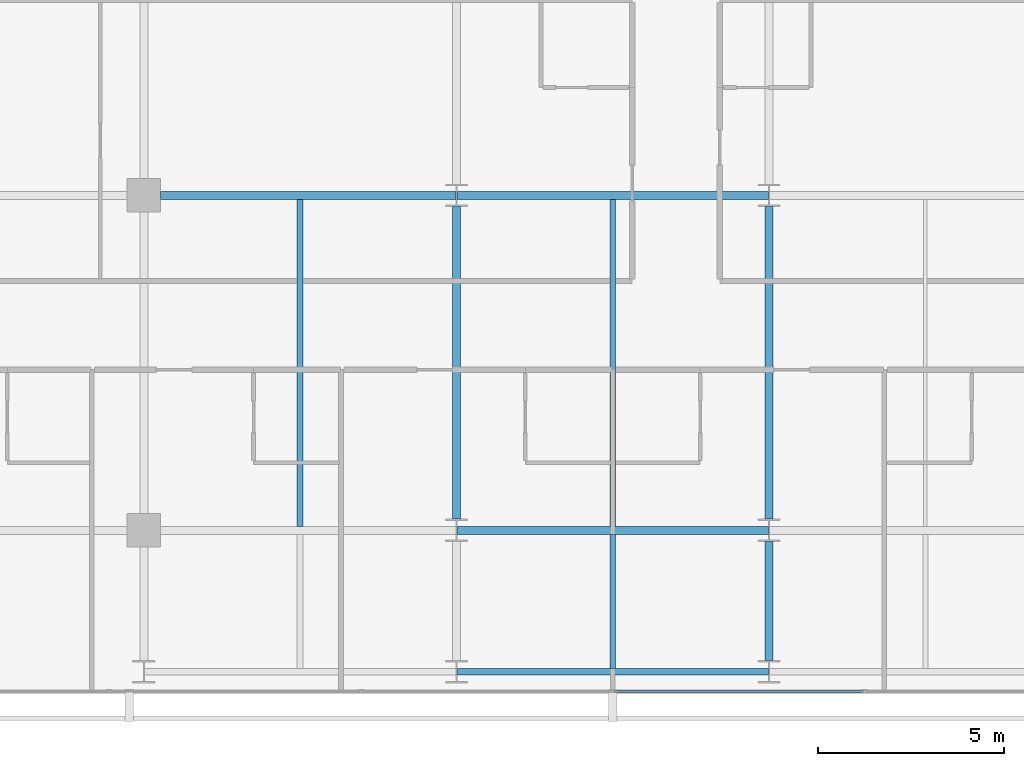
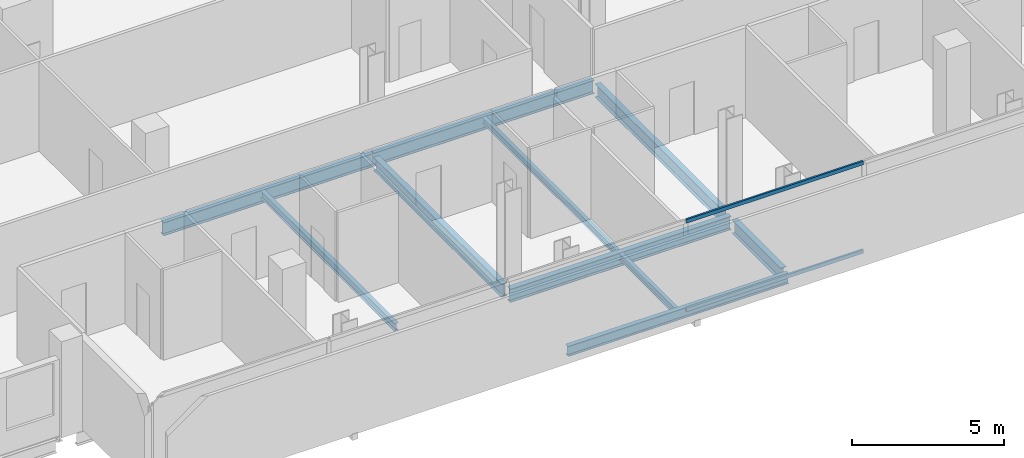
# One storey, part 7 of 33: 10 beams, 2 members, 1 element without a shape of its own.
"""IFC4 building model written with IfcOpenShell, lengths in metres."""

from ifc_helpers import new_model, si_unit, direction, frame, origin, origin_2d, place, context, subcontext, project, spatial, hollow_rectangle, i_section, extrude, material, layer, layer_set, material_profile, profile_set, type_object, element, aggregate, save


model = new_model("IFC4")

# Units and contexts
model_context = context("Model", 3, precision=1e-05, world=origin(), true_north=direction((0.0, 1.0)))
body_context = subcontext(model_context, "Body", "Model", "MODEL_VIEW")
ifc_project = project(units=[si_unit("LENGTHUNIT", "METRE"), si_unit("AREAUNIT", "SQUARE_METRE"), si_unit("VOLUMEUNIT", "CUBIC_METRE"), si_unit("PLANEANGLEUNIT", "RADIAN"), si_unit("MASSUNIT", "GRAM", prefix="KILO")], contexts=[model_context])

# Site, building, storey
site_placement = place(None, origin())
site = spatial("IfcSite", under=ifc_project, at=site_placement, CompositionType="ELEMENT")
building_placement = place(site_placement, origin())
building = spatial("IfcBuilding", under=site, at=building_placement, Name="Maruvema Waterfront Hotel and Observation Tower", CompositionType="ELEMENT")
storey_placement = place(building_placement, frame((0.0, 0.0, 200.550048828125)))
storey = spatial("IfcBuildingStorey", under=building, at=storey_placement, Name="L49", CompositionType="ELEMENT", Elevation=200.550048828125)

# Curtain wall, members
ifc_material_1 = material(Name="Anodised bronze aluminium and solar-control low-E IGU", Category="aluminium")
ifc_layer = layer(ifc_material_1, 0.159912109375, Name="Zone 2 Amber Inner Thermal Curtain Wall System CW-03")
ifc_layer_set = layer_set([ifc_layer], Name="Anodised bronze aluminium and solar-control low-E IGU")
curtain_wall_type = type_object("IfcCurtainWallType", Name="Zone 2 Amber Inner Thermal Curtain Wall System CW-03", PredefinedType="USERDEFINED", material=ifc_layer_set)
curtain_wall_placement = place(storey_placement, origin())
curtain_wall = element("IfcCurtainWall", 1, at=curtain_wall_placement, inside=storey, type_object=curtain_wall_type, Name="L49 Curtain Wall CW-L49-S", ObjectType="UNITISED CURTAIN WALL", PredefinedType="USERDEFINED")
ifc_material_2 = material(Name="Anodised architectural bronze aluminium", Category="aluminium")
ifc_material_profile_1 = material_profile(ifc_material_2, hollow_rectangle(XDim=0.070068359375, YDim=0.14990234375, WallThickness=0.00390625, at=origin_2d()), Name="ALU-T70x150")
ifc_profile_set_1 = profile_set([ifc_material_profile_1], Name="Anodised architectural bronze aluminium")
member_type = type_object("IfcMemberType", Name="Curtain Wall Horizontal Transom ALU-T70x150", PredefinedType="USERDEFINED", material=ifc_profile_set_1)
member_1_placement = place(storey_placement, frame((37.830078125, 4.679931640625, 0.030029296875), z_axis=(1.0, 0.0, 0.0), x_axis=(0.0, 1.0, 0.0)))
member_1 = element("IfcMember", 2, at=member_1_placement, type_object=member_type, Name="CW-03 transom 4.1", ObjectType="TRANSOM", PredefinedType="USERDEFINED", context=body_context, shape_type="SweptSolid", body=[
    extrude(hollow_rectangle(XDim=0.070068359375, YDim=0.14990234375, WallThickness=0.00390625, at=origin_2d()), origin(), (0.0, 0.0, 1.0), 6.70654296875),
])
member_2_placement = place(storey_placement, frame((37.830078125, 4.679931640625, 3.579833984375), z_axis=(1.0, 0.0, 0.0), x_axis=(0.0, 1.0, 0.0)))
member_2 = element("IfcMember", 3, at=member_2_placement, type_object=member_type, Name="CW-03 transom 4.2", ObjectType="TRANSOM", PredefinedType="USERDEFINED", context=body_context, shape_type="SweptSolid", body=[
    extrude(hollow_rectangle(XDim=0.070068359375, YDim=0.14990234375, WallThickness=0.00390625, at=origin_2d()), origin(), (0.0, 0.0, 1.0), 6.70654296875),
])
aggregate(curtain_wall, [member_1, member_2])

# Beams
ifc_material_3 = material(Name="Steel ASTM A572 Grade 50", Category="steel")
ifc_material_profile_2 = material_profile(ifc_material_3, i_section(OverallWidth=0.178955078125, OverallDepth=0.409912109375, WebThickness=0.0087890625, FlangeThickness=0.014404296875, FilletRadius=0.014892578125, at=origin_2d()), Name="W410x67.0")
ifc_profile_set_2 = profile_set([ifc_material_profile_2], Name="Steel ASTM A572 Grade 50")
beam_type_1 = type_object("IfcBeamType", Name="Perimeter Spandrel Beam W410x67.0", PredefinedType="SPANDREL", material=ifc_profile_set_2)
beam_1_placement = place(storey_placement, frame((33.612548828125, 5.199951171875, -0.445068359375), z_axis=(1.0, 0.0, 0.0), x_axis=(0.0, 1.0, 0.0)))
element("IfcBeam", 4, at=beam_1_placement, inside=storey, type_object=beam_type_1, Name="L49 Floor Girder EW-02", PredefinedType="SPANDREL", context=body_context, shape_type="SweptSolid", body=[
    extrude(i_section(OverallWidth=0.178955078125, OverallDepth=0.409912109375, WebThickness=0.0087890625, FlangeThickness=0.014404296875, FilletRadius=0.014892578125, at=origin_2d()), origin(), (0.0, 0.0, 1.0), 8.375),
])
ifc_material_4 = material(Name="Steel ASTM A572 Grade 50", Category="steel")
ifc_material_profile_3 = material_profile(ifc_material_4, i_section(OverallWidth=0.2109375, OverallDepth=0.5390625, WebThickness=0.01171875, FlangeThickness=0.018798828125, FilletRadius=0.014892578125, at=origin_2d()), Name="W530x109.0")
ifc_profile_set_3 = profile_set([ifc_material_profile_3], Name="Steel ASTM A572 Grade 50")
beam_type_2 = type_object("IfcBeamType", Name="Primary Floor Girder W530x109.0", PredefinedType="BEAM", material=ifc_profile_set_3)
beam_2_placement = place(storey_placement, frame((33.612548828125, 9.0, -0.509521484375), z_axis=(1.0, 0.0, 0.0), x_axis=(0.0, 1.0, 0.0)))
element("IfcBeam", 5, at=beam_2_placement, inside=storey, type_object=beam_type_2, Name="L49 Floor Girder EW-07", PredefinedType="BEAM", context=body_context, shape_type="SweptSolid", body=[
    extrude(i_section(OverallWidth=0.2109375, OverallDepth=0.5390625, WebThickness=0.01171875, FlangeThickness=0.018798828125, FilletRadius=0.014892578125, at=origin_2d()), origin(), (0.0, 0.0, 1.0), 8.375),
])
beam_3_placement = place(storey_placement, frame((25.64990234375, 18.0, -0.509521484375), z_axis=(1.0, 0.0, 0.0), x_axis=(0.0, 1.0, 0.0)))
element("IfcBeam", 6, at=beam_3_placement, inside=storey, type_object=beam_type_2, Name="L49 Floor Girder EW-13", PredefinedType="BEAM", context=body_context, shape_type="SweptSolid", body=[
    extrude(i_section(OverallWidth=0.2109375, OverallDepth=0.5390625, WebThickness=0.01171875, FlangeThickness=0.018798828125, FilletRadius=0.014892578125, at=origin_2d()), origin(), (0.0, 0.0, 1.0), 7.9375),
])
beam_4_placement = place(storey_placement, frame((33.612548828125, 18.0, -0.509521484375), z_axis=(1.0, 0.0, 0.0), x_axis=(0.0, 1.0, 0.0)))
element("IfcBeam", 7, at=beam_4_placement, inside=storey, type_object=beam_type_2, Name="L49 Floor Girder EW-14", PredefinedType="BEAM", context=body_context, shape_type="SweptSolid", body=[
    extrude(i_section(OverallWidth=0.2109375, OverallDepth=0.5390625, WebThickness=0.01171875, FlangeThickness=0.018798828125, FilletRadius=0.014892578125, at=origin_2d()), origin(), (0.0, 0.0, 1.0), 8.375),
])
beam_5_placement = place(storey_placement, frame((33.60009765625, 9.300048828125, -0.509521484375), z_axis=(0.0, 1.0, 0.0), x_axis=(-1.0, 0.0, 0.0)))
element("IfcBeam", 8, at=beam_5_placement, inside=storey, type_object=beam_type_2, Name="L49 Floor Girder NS-15", PredefinedType="BEAM", context=body_context, shape_type="SweptSolid", body=[
    extrude(i_section(OverallWidth=0.2109375, OverallDepth=0.5390625, WebThickness=0.01171875, FlangeThickness=0.018798828125, FilletRadius=0.014892578125, at=origin_2d()), origin(), (0.0, 0.0, 1.0), 8.39990234375),
])
beam_6_placement = place(storey_placement, frame((42.0, 5.5, -0.509521484375), z_axis=(0.0, 1.0, 0.0), x_axis=(-1.0, 0.0, 0.0)))
element("IfcBeam", 9, at=beam_6_placement, inside=storey, type_object=beam_type_2, Name="L49 Floor Girder NS-17", PredefinedType="BEAM", context=body_context, shape_type="SweptSolid", body=[
    extrude(i_section(OverallWidth=0.2109375, OverallDepth=0.5390625, WebThickness=0.01171875, FlangeThickness=0.018798828125, FilletRadius=0.014892578125, at=origin_2d()), origin(), (0.0, 0.0, 1.0), 3.199951171875),
])
beam_7_placement = place(storey_placement, frame((42.0, 9.300048828125, -0.509521484375), z_axis=(0.0, 1.0, 0.0), x_axis=(-1.0, 0.0, 0.0)))
element("IfcBeam", 10, at=beam_7_placement, inside=storey, type_object=beam_type_2, Name="L49 Floor Girder NS-18", PredefinedType="BEAM", context=body_context, shape_type="SweptSolid", body=[
    extrude(i_section(OverallWidth=0.2109375, OverallDepth=0.5390625, WebThickness=0.01171875, FlangeThickness=0.018798828125, FilletRadius=0.014892578125, at=origin_2d()), origin(), (0.0, 0.0, 1.0), 8.39990234375),
])
ifc_material_5 = material(Name="Steel ASTM A572 Grade 50", Category="steel")
ifc_material_profile_4 = material_profile(ifc_material_5, i_section(OverallWidth=0.14599609375, OverallDepth=0.258056640625, WebThickness=0.006103515625, FlangeThickness=0.009033203125, FilletRadius=0.012939453125, at=origin_2d()), Name="W250x32.7")
ifc_profile_set_4 = profile_set([ifc_material_profile_4], Name="Steel ASTM A572 Grade 50")
beam_type_3 = type_object("IfcBeamType", Name="Secondary Floor Joist W250x32.7", PredefinedType="JOIST", material=ifc_profile_set_4)
beam_8_placement = place(storey_placement, frame((37.800048828125, 9.10546875, -0.369140625), z_axis=(0.0, 1.0, 0.0), x_axis=(-1.0, 0.0, 0.0)))
element("IfcBeam", 11, at=beam_8_placement, inside=storey, type_object=beam_type_3, Name="L49 Secondary Floor Joist JS-08", PredefinedType="JOIST", context=body_context, shape_type="SweptSolid", body=[
    extrude(i_section(OverallWidth=0.14599609375, OverallDepth=0.258056640625, WebThickness=0.006103515625, FlangeThickness=0.009033203125, FilletRadius=0.012939453125, at=origin_2d()), origin(), (0.0, 0.0, 1.0), 8.7890625),
])
ifc_material_6 = material(Name="Steel ASTM A572 Grade 50", Category="steel")
ifc_material_profile_5 = material_profile(ifc_material_6, i_section(OverallWidth=0.14794921875, OverallDepth=0.26611328125, WebThickness=0.007568359375, FlangeThickness=0.012939453125, FilletRadius=0.012939453125, at=origin_2d()), Name="W250x44.8")
ifc_profile_set_5 = profile_set([ifc_material_profile_5], Name="Steel ASTM A572 Grade 50")
beam_type_4 = type_object("IfcBeamType", Name="Secondary Floor Joist W250x44.8", PredefinedType="JOIST", material=ifc_profile_set_5)
beam_9_placement = place(storey_placement, frame((37.800048828125, 5.28955078125, -0.373046875), z_axis=(0.0, 1.0, 0.0), x_axis=(-1.0, 0.0, 0.0)))
element("IfcBeam", 12, at=beam_9_placement, inside=storey, type_object=beam_type_4, Name="L49 Secondary Floor Joist JS-07", PredefinedType="JOIST", context=body_context, shape_type="SweptSolid", body=[
    extrude(i_section(OverallWidth=0.14794921875, OverallDepth=0.26611328125, WebThickness=0.007568359375, FlangeThickness=0.012939453125, FilletRadius=0.012939453125, at=origin_2d()), origin(), (0.0, 0.0, 1.0), 3.60498046875),
])
ifc_material_7 = material(Name="Steel ASTM A572 Grade 50", Category="steel")
ifc_material_profile_6 = material_profile(ifc_material_7, i_section(OverallWidth=0.1650390625, OverallDepth=0.31005859375, WebThickness=0.005859375, FlangeThickness=0.009765625, FilletRadius=0.012939453125, at=origin_2d()), Name="W310x38.7")
ifc_profile_set_6 = profile_set([ifc_material_profile_6], Name="Steel ASTM A572 Grade 50")
beam_type_5 = type_object("IfcBeamType", Name="Secondary Floor Joist W310x38.7", PredefinedType="JOIST", material=ifc_profile_set_6)
beam_10_placement = place(storey_placement, frame((29.39990234375, 9.10546875, -0.39501953125), z_axis=(0.0, 1.0, 0.0), x_axis=(-1.0, 0.0, 0.0)))
element("IfcBeam", 13, at=beam_10_placement, inside=storey, type_object=beam_type_5, Name="L49 Secondary Floor Joist JS-06", PredefinedType="JOIST", context=body_context, shape_type="SweptSolid", body=[
    extrude(i_section(OverallWidth=0.1650390625, OverallDepth=0.31005859375, WebThickness=0.005859375, FlangeThickness=0.009765625, FilletRadius=0.012939453125, at=origin_2d()), origin(), (0.0, 0.0, 1.0), 8.7890625),
])

save(model, "model.ifc")
